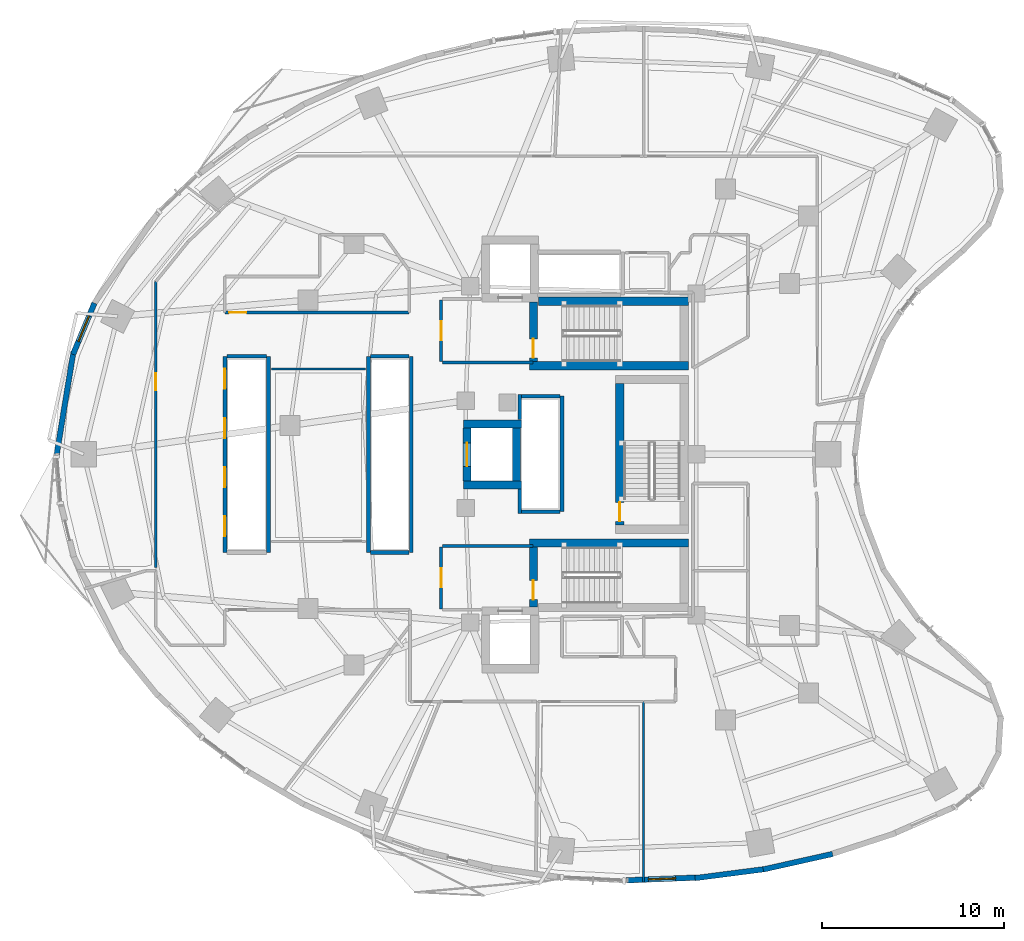
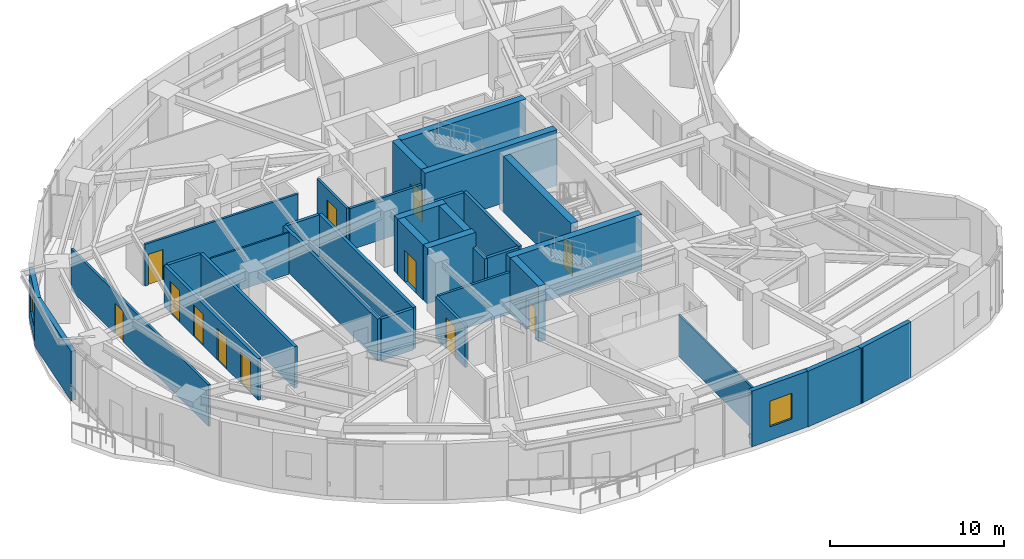
# One storey, part 9 of 15: 35 walls, 12 doors, 2 windows, 14 openings.
"""IFC4 building model written with IfcOpenShell, lengths in metres."""

from ifc_helpers import new_model, si_unit, direction, frame, frame_2d, origin, place, context, subcontext, project, spatial, rectangle, extrude, material, layer, layer_set, type_object, element, fill, save


model = new_model("IFC4")

# Units and contexts
model_context = context("Model", 3, precision=1e-05, world=origin(), true_north=direction((0.0, 1.0)))
body_context = subcontext(model_context, "Body", "Model", "MODEL_VIEW")
ifc_project = project(units=[si_unit("LENGTHUNIT", "METRE"), si_unit("AREAUNIT", "SQUARE_METRE"), si_unit("VOLUMEUNIT", "CUBIC_METRE"), si_unit("PLANEANGLEUNIT", "RADIAN"), si_unit("MASSUNIT", "GRAM", prefix="KILO")], contexts=[model_context])

# Site, building, storey
site_placement = place(None, origin())
site = spatial("IfcSite", under=ifc_project, at=site_placement, CompositionType="ELEMENT")
building_placement = place(site_placement, origin())
building = spatial("IfcBuilding", under=site, at=building_placement, Name="Korentha Bioscience Tower", CompositionType="ELEMENT")
storey_placement = place(building_placement, frame((0.0, 0.0, 38.39990234375)))
storey = spatial("IfcBuildingStorey", under=building, at=storey_placement, Name="L08", CompositionType="ELEMENT", Elevation=38.39990234375)

# Wall, opening, door
ifc_material_1 = material(Name="Double-Stud Acoustic Gypsum", Category="gypsum")
ifc_layer_1 = layer(ifc_material_1, 0.14990234375, Name="Double-Stud Acoustic Gypsum")
ifc_layer_set_1 = layer_set([ifc_layer_1], Name="Double-Stud Acoustic Gypsum (IW-L150)")
wall_type_1 = type_object("IfcWallType", Name="Acoustic Laboratory Partition Wall 150", PredefinedType="PARTITIONING", material=ifc_layer_set_1)
wall_1_placement = place(storey_placement, frame((21.739990234375, 34.81005859375, 0.0), z_axis=(0.0, 0.0, 1.0), x_axis=(-1.0, 0.0, 0.0)))
wall_1 = element("IfcWall", 1, at=wall_1_placement, inside=storey, type_object=wall_type_1, Name="L08 Clinical Advisory Boardroom 14 Entrance Wall", PredefinedType="PARTITIONING", context=body_context, shape_type="SweptSolid", body=[
    extrude(rectangle(XDim=10.14990234375, YDim=0.14990234375, at=frame_2d((5.074951171875, 0.0))), origin(), (0.0, 0.0, 1.0), 2.91015625),
])
opening_1_placement = place(wall_1_placement, frame((8.9599609375, 0.0, 0.0)))
opening_1 = element("IfcOpeningElement", 2, at=opening_1_placement, cuts=wall_1, Name="Opening ID-10R", PredefinedType="OPENING", context=body_context, shape_type="SweptSolid", body=[
    extrude(rectangle(XDim=0.949951171875, YDim=2.14990234375, at=frame_2d((0.47509765625, 1.074951171875))), frame((0.0, 0.08984375, 0.0), z_axis=(0.0, -1.0, 0.0), x_axis=(1.0, 0.0, 0.0)), (0.0, 0.0, 1.0), 0.1796875),
])
ifc_material_2 = material(Name="Phenolic Laminate Timber Core", Category="wood")
door_type_1 = type_object("IfcDoorType", Name="Laboratory Single Leaf Door 950x2150 Right", OperationType="SINGLE_SWING_RIGHT", PredefinedType="DOOR", material=ifc_material_2)
door_1_placement = place(opening_1_placement, origin())
door_1 = element("IfcDoor", 3, at=door_1_placement, inside=storey, type_object=door_type_1, Name="L08 Clinical Advisory Boardroom 14 Door", OperationType="SINGLE_SWING_RIGHT", OverallHeight=2.14990234375, OverallWidth=0.949951171875, PredefinedType="DOOR", context=body_context, shape_type="SweptSolid", body=[
    extrude(rectangle(XDim=0.949951171875, YDim=2.14990234375, at=frame_2d((0.47509765625, 1.074951171875))), frame((0.0, 0.02490234375, 0.0), z_axis=(0.0, -1.0, 0.0), x_axis=(1.0, 0.0, 0.0)), (0.0, 0.0, 1.0), 0.050048828125),
])
fill(opening_1, door_1)

wall_2_placement = place(storey_placement, frame((7.7900390625, 36.501220703125, 0.0), z_axis=(0.0, 0.0, 1.0), x_axis=(0.0, -1.0, 0.0)))
wall_2 = element("IfcWall", 4, at=wall_2_placement, inside=storey, type_object=wall_type_1, Name="L08 Researchers' Wellness Quiet Room 15 Entrance Wall", PredefinedType="PARTITIONING", context=body_context, shape_type="SweptSolid", body=[
    extrude(rectangle(XDim=15.739501953125, YDim=0.14990234375, at=frame_2d((7.86962890625, 0.0))), origin(), (0.0, 0.0, 1.0), 2.91015625),
])
opening_2_placement = place(wall_2_placement, frame((5.023193359375, 0.0, 0.0)))
opening_2 = element("IfcOpeningElement", 5, at=opening_2_placement, cuts=wall_2, Name="Opening ID-10L", PredefinedType="OPENING", context=body_context, shape_type="SweptSolid", body=[
    extrude(rectangle(XDim=0.949951171875, YDim=2.14990234375, at=frame_2d((0.47509765625, 1.074951171875))), frame((0.0, 0.08984375, 0.0), z_axis=(0.0, -1.0, 0.0), x_axis=(1.0, 0.0, 0.0)), (0.0, 0.0, 1.0), 0.1796875),
])
door_type_2 = type_object("IfcDoorType", Name="Laboratory Single Leaf Door 950x2150 Left", OperationType="SINGLE_SWING_LEFT", PredefinedType="DOOR", material=ifc_material_2)
door_2_placement = place(opening_2_placement, origin())
door_2 = element("IfcDoor", 6, at=door_2_placement, inside=storey, type_object=door_type_2, Name="L08 Researchers' Wellness Quiet Room 15 Door", OperationType="SINGLE_SWING_LEFT", OverallHeight=2.14990234375, OverallWidth=0.949951171875, PredefinedType="DOOR", context=body_context, shape_type="SweptSolid", body=[
    extrude(rectangle(XDim=0.949951171875, YDim=2.14990234375, at=frame_2d((0.47509765625, 1.074951171875))), frame((0.0, 0.02490234375, 0.0), z_axis=(0.0, -1.0, 0.0), x_axis=(1.0, 0.0, 0.0)), (0.0, 0.0, 1.0), 0.050048828125),
])
fill(opening_2, door_2)

# Walls
ifc_material_3 = material(Name="Fire-Rated Framed Glass", Category="glass")
ifc_layer_2 = layer(ifc_material_3, 0.110107421875, Name="Fire-Rated Framed Glass")
ifc_layer_set_2 = layer_set([ifc_layer_2], Name="Fire-Rated Framed Glass (IW-G110)")
wall_type_2 = type_object("IfcWallType", Name="Demountable Glazed Office Partition 110", PredefinedType="MOVABLE", material=ifc_layer_set_2)
wall_3_placement = place(storey_placement, frame((14.16015625, 31.697998046875, 0.0), z_axis=(0.0, 0.0, 1.0), x_axis=(1.0, 0.0, 0.0)))
element("IfcWall", 7, at=wall_3_placement, inside=storey, type_object=wall_type_2, Name="L08 Interior Partition 023", PredefinedType="MOVABLE", context=body_context, shape_type="SweptSolid", body=[
    extrude(rectangle(XDim=5.1796875, YDim=0.110107421875, at=frame_2d((2.58984375, 0.0))), origin(), (0.0, 0.0, 1.0), 2.91015625),
])
wall_4_placement = place(storey_placement, frame((34.64794921875, 13.389892578125, 0.0), z_axis=(0.0, 0.0, 1.0), x_axis=(0.0, -1.0, 0.0)))
element("IfcWall", 8, at=wall_4_placement, inside=storey, type_object=wall_type_2, Name="L08 Interior Partition 036", PredefinedType="MOVABLE", context=body_context, shape_type="SweptSolid", body=[
    extrude(rectangle(XDim=9.93408203125, YDim=0.110107421875, at=frame_2d((4.967041015625, 0.0))), origin(), (0.0, 0.0, 1.0), 2.91015625),
])

# Wall, opening, door
ifc_material_4 = material(Name="Gypsum-Clad Steel Stud", Category="steel")
ifc_layer_3 = layer(ifc_material_4, 0.159912109375, Name="Gypsum-Clad Steel Stud")
ifc_layer_set_3 = layer_set([ifc_layer_3], Name="Gypsum-Clad Steel Stud (IW-C160)")
wall_type_3 = type_object("IfcWallType", Name="Fire-Rated Corridor Partition Wall 160", PredefinedType="PARTITIONING", material=ifc_layer_set_3)
wall_5_placement = place(storey_placement, frame((23.5, 32.10009765625, 0.0), z_axis=(0.0, 0.0, 1.0), x_axis=(0.0, 1.0, 0.0)))
wall_5 = element("IfcWall", 9, at=wall_5_placement, inside=storey, type_object=wall_type_3, Name="L08 FFLN-CW Rated Enclosure Wall", PredefinedType="PARTITIONING", context=body_context, shape_type="SweptSolid", body=[
    extrude(rectangle(XDim=3.39990234375, YDim=0.159912109375, at=frame_2d((1.699951171875, 0.0))), origin(), (0.0, 0.0, 1.0), 2.91015625),
])
opening_3_placement = place(wall_5_placement, frame((1.175048828125, 0.0, 0.0)))
opening_3 = element("IfcOpeningElement", 10, at=opening_3_placement, cuts=wall_5, Name="Opening FD-90L", PredefinedType="OPENING", context=body_context, shape_type="SweptSolid", body=[
    extrude(rectangle(XDim=1.050048828125, YDim=2.14990234375, at=frame_2d((0.52490234375, 1.074951171875))), frame((0.0, 0.0947265625, 0.0), z_axis=(0.0, -1.0, 0.0), x_axis=(1.0, 0.0, 0.0)), (0.0, 0.0, 1.0), 0.189697265625),
])
ifc_material_5 = material(Name="Powder-Coated Fire-Rated Steel", Category="steel")
door_type_3 = type_object("IfcDoorType", Name="Stairwell Fire Exit Door 1050x2150 Left", OperationType="SINGLE_SWING_LEFT", PredefinedType="DOOR", material=ifc_material_5)
door_3_placement = place(opening_3_placement, origin())
door_3 = element("IfcDoor", 11, at=door_3_placement, inside=storey, type_object=door_type_3, Name="L08 North Firefighting Lobby Door", OperationType="SINGLE_SWING_LEFT", OverallHeight=2.14990234375, OverallWidth=1.050048828125, PredefinedType="DOOR", context=body_context, shape_type="SweptSolid", body=[
    extrude(rectangle(XDim=1.050048828125, YDim=2.14990234375, at=frame_2d((0.52490234375, 1.074951171875))), frame((0.0, 0.02490234375, 0.0), z_axis=(0.0, -1.0, 0.0), x_axis=(1.0, 0.0, 0.0)), (0.0, 0.0, 1.0), 0.050048828125),
])
fill(opening_3, door_3)

wall_6_placement = place(storey_placement, frame((23.5, 18.5, 0.0), z_axis=(0.0, 0.0, 1.0), x_axis=(0.0, 1.0, 0.0)))
wall_6 = element("IfcWall", 12, at=wall_6_placement, inside=storey, type_object=wall_type_3, Name="L08 FFLS-CW Rated Enclosure Wall", PredefinedType="PARTITIONING", context=body_context, shape_type="SweptSolid", body=[
    extrude(rectangle(XDim=3.39990234375, YDim=0.159912109375, at=frame_2d((1.699951171875, 0.0))), origin(), (0.0, 0.0, 1.0), 2.91015625),
])
opening_4_placement = place(wall_6_placement, frame((1.175048828125, 0.0, 0.0)))
opening_4 = element("IfcOpeningElement", 13, at=opening_4_placement, cuts=wall_6, Name="Opening FD-90L", PredefinedType="OPENING", context=body_context, shape_type="SweptSolid", body=[
    extrude(rectangle(XDim=1.050048828125, YDim=2.14990234375, at=frame_2d((0.52490234375, 1.074951171875))), frame((0.0, 0.0947265625, 0.0), z_axis=(0.0, -1.0, 0.0), x_axis=(1.0, 0.0, 0.0)), (0.0, 0.0, 1.0), 0.189697265625),
])
door_4_placement = place(opening_4_placement, origin())
door_4 = element("IfcDoor", 14, at=door_4_placement, inside=storey, type_object=door_type_3, Name="L08 South Firefighting Lobby Door", OperationType="SINGLE_SWING_LEFT", OverallHeight=2.14990234375, OverallWidth=1.050048828125, PredefinedType="DOOR", context=body_context, shape_type="SweptSolid", body=[
    extrude(rectangle(XDim=1.050048828125, YDim=2.14990234375, at=frame_2d((0.52490234375, 1.074951171875))), frame((0.0, 0.02490234375, 0.0), z_axis=(0.0, -1.0, 0.0), x_axis=(1.0, 0.0, 0.0)), (0.0, 0.0, 1.0), 0.050048828125),
])
fill(opening_4, door_4)

# Walls
for number, where, z_axis, x_axis, name in (
    (15, (23.580078125, 32.050048828125, 0.0), (0.0, 0.0, 1.0), (1.0, 0.0, 0.0), "L08 Firefighting Lobby Return Wall FFLN-S"),
    (16, (23.580078125, 21.949951171875, 0.0), (0.0, 0.0, 1.0), (1.0, 0.0, 0.0), "L08 Firefighting Lobby Return Wall FFLS-N"),
):
    element("IfcWall", number, at=place(storey_placement, frame(where, z_axis=z_axis, x_axis=x_axis)), inside=storey, type_object=wall_type_3, Name=name, PredefinedType="PARTITIONING", context=body_context, shape_type="SweptSolid", body=[
        extrude(rectangle(XDim=4.969970703125, YDim=0.159912109375, at=frame_2d((2.48486328125, 0.0))), origin(), (0.0, 0.0, 1.0), 2.91015625),
    ])

# Wall, opening, window
ifc_material_6 = material(Name="Honed Limestone Precast Concrete C40", Category="masonry")
ifc_layer_4 = layer(ifc_material_6, 0.300048828125, Name="Honed Limestone Precast Concrete C40")
ifc_layer_set_4 = layer_set([ifc_layer_4], Name="Honed Limestone Precast Concrete C40 (EW-ST300)")
wall_type_4 = type_object("IfcWallType", Name="Honed Limestone Cavity Spandrel Wall 300", PredefinedType="STANDARD", material=ifc_layer_set_4)
wall_7_placement = place(storey_placement, frame((4.4169921875, 35.322998046875, 0.0), z_axis=(0.0, 0.0, 1.0), x_axis=(-0.385358473275, -0.92276695166, 0.0)))
wall_7 = element("IfcWall", 17, at=wall_7_placement, inside=storey, type_object=wall_type_4, Name="L08 Honed Limestone Spandrel Wall 16", PredefinedType="STANDARD", context=body_context, shape_type="SweptSolid", body=[
    extrude(rectangle(XDim=3.0556640625, YDim=0.300048828125, at=frame_2d((1.52783203125, 0.0))), origin(), (0.0, 0.0, 1.0), 3.47021484375),
])
opening_5_placement = place(wall_7_placement, frame((0.777587890625, 0.0, 0.949951171875)))
opening_5 = element("IfcOpeningElement", 18, at=opening_5_placement, cuts=wall_7, Name="Opening WN-02", PredefinedType="OPENING", context=body_context, shape_type="SweptSolid", body=[
    extrude(rectangle(XDim=1.5, YDim=1.800048828125, at=frame_2d((0.75, 0.89990234375))), frame((0.0, 0.1650390625, 0.0), z_axis=(0.0, -1.0, 0.0), x_axis=(1.0, 0.0, 0.0)), (0.0, 0.0, 1.0), 0.329833984375),
])
ifc_material_7 = material(Name="Thermally Broken Aluminium Triple Glazing", Category="aluminium")
window_type = type_object("IfcWindowType", Name="Acoustic Operable Office Window 1500x1800", PartitioningType="DOUBLE_PANEL_VERTICAL", PredefinedType="WINDOW", material=ifc_material_7)
window_1_placement = place(opening_5_placement, origin())
window_1 = element("IfcWindow", 19, at=window_1_placement, inside=storey, type_object=window_type, Name="L08 Facade Window 16", OverallHeight=1.800048828125, OverallWidth=1.5, PartitioningType="DOUBLE_PANEL_VERTICAL", PredefinedType="WINDOW", context=body_context, shape_type="SweptSolid", body=[
    extrude(rectangle(XDim=1.5, YDim=1.800048828125, at=frame_2d((0.75, 0.89990234375))), frame((0.0, 0.030029296875, 0.0), z_axis=(0.0, -1.0, 0.0), x_axis=(1.0, 0.0, 0.0)), (0.0, 0.0, 1.0), 0.06005859375),
])
fill(opening_5, window_1)

wall_8_placement = place(storey_placement, frame((33.68701171875, 3.558349609375, 0.0), z_axis=(0.0, 0.0, 1.0), x_axis=(0.999247008469, 0.038799691558, 0.0)))
wall_8 = element("IfcWall", 20, at=wall_8_placement, inside=storey, type_object=wall_type_4, Name="L08 Honed Limestone Spandrel Wall 32", PredefinedType="STANDARD", context=body_context, shape_type="SweptSolid", body=[
    extrude(rectangle(XDim=3.93896484375, YDim=0.300048828125, at=frame_2d((1.969482421875, 0.0))), origin(), (0.0, 0.0, 1.0), 3.900146484375),
])
opening_6_placement = place(wall_8_placement, frame((1.219482421875, 0.0, 0.949951171875)))
opening_6 = element("IfcOpeningElement", 21, at=opening_6_placement, cuts=wall_8, Name="Opening WN-02", PredefinedType="OPENING", context=body_context, shape_type="SweptSolid", body=[
    extrude(rectangle(XDim=1.5, YDim=1.800048828125, at=frame_2d((0.75, 0.89990234375))), frame((0.0, 0.1650390625, 0.0), z_axis=(0.0, -1.0, 0.0), x_axis=(1.0, 0.0, 0.0)), (0.0, 0.0, 1.0), 0.329833984375),
])
window_2_placement = place(opening_6_placement, origin())
window_2 = element("IfcWindow", 22, at=window_2_placement, inside=storey, type_object=window_type, Name="L08 Facade Window 32", OverallHeight=1.800048828125, OverallWidth=1.5, PartitioningType="DOUBLE_PANEL_VERTICAL", PredefinedType="WINDOW", context=body_context, shape_type="SweptSolid", body=[
    extrude(rectangle(XDim=1.5, YDim=1.800048828125, at=frame_2d((0.75, 0.89990234375))), frame((0.0, 0.030029296875, 0.0), z_axis=(0.0, -1.0, 0.0), x_axis=(1.0, 0.0, 0.0)), (0.0, 0.0, 1.0), 0.06005859375),
])
fill(opening_6, window_2)

# Walls
wall_9_placement = place(storey_placement, frame((3.26611328125, 32.677001953125, 0.0), z_axis=(0.0, 0.0, 1.0), x_axis=(-0.160712446639, -0.987001271273, 0.0)))
element("IfcWall", 23, at=wall_9_placement, inside=storey, type_object=wall_type_4, Name="L08 Limestone Perimeter Closure Wall 17", PredefinedType="STANDARD", context=body_context, shape_type="SweptSolid", body=[
    extrude(rectangle(XDim=5.854736328125, YDim=0.300048828125, at=frame_2d((2.92724609375, 0.0))), origin(), (0.0, 0.0, 1.0), 3.47021484375),
])
wall_10_placement = place(storey_placement, frame((37.471923828125, 3.677734375, 0.0), z_axis=(0.0, 0.0, 1.0), x_axis=(0.991734095036, 0.128310111617, 0.0)))
element("IfcWall", 24, at=wall_10_placement, inside=storey, type_object=wall_type_4, Name="L08 Limestone Perimeter Closure Wall 33", PredefinedType="STANDARD", context=body_context, shape_type="SweptSolid", body=[
    extrude(rectangle(XDim=3.955810546875, YDim=0.300048828125, at=frame_2d((1.97802734375, 0.0))), origin(), (0.0, 0.0, 1.0), 3.900146484375),
])
wall_11_placement = place(storey_placement, frame((41.22509765625, 4.1552734375, 0.0), z_axis=(0.0, 0.0, 1.0), x_axis=(0.975868573345, 0.218358713032, 0.0)))
element("IfcWall", 25, at=wall_11_placement, inside=storey, type_object=wall_type_4, Name="L08 Limestone Perimeter Closure Wall 34", PredefinedType="STANDARD", context=body_context, shape_type="SweptSolid", body=[
    extrude(rectangle(XDim=3.90869140625, YDim=0.300048828125, at=frame_2d((1.954345703125, 0.0))), origin(), (0.0, 0.0, 1.0), 3.900146484375),
])

# Wall, openings, doors
ifc_material_8 = material(Name="Autoclaved Aerated Concrete Block C25", Category="concrete")
ifc_layer_5 = layer(ifc_material_8, 0.199951171875, Name="Autoclaved Aerated Concrete Block C25")
ifc_layer_set_5 = layer_set([ifc_layer_5], Name="Autoclaved Aerated Concrete Block C25 (IW-S200)")
wall_type_5 = type_object("IfcWallType", Name="Lift and Riser Shaft Enclosure Wall 200", PredefinedType="PARTITIONING", material=ifc_layer_set_5)
wall_12_placement = place(storey_placement, frame((11.60009765625, 21.60009765625, 0.0), z_axis=(0.0, 0.0, 1.0), x_axis=(0.0, 1.0, 0.0)))
wall_12 = element("IfcWall", 26, at=wall_12_placement, inside=storey, type_object=wall_type_5, Name="L08 Lift Bank LOW Shaft Wall -X", PredefinedType="PARTITIONING", context=body_context, shape_type="SweptSolid", body=[
    extrude(rectangle(XDim=10.7998046875, YDim=0.199951171875, at=frame_2d((5.39990234375, 0.0))), origin(), (0.0, 0.0, 1.0), 2.91015625),
])
opening_7_placement = place(wall_12_placement, frame((0.89990234375, 0.0, 0.0)))
opening_7 = element("IfcOpeningElement", 27, at=opening_7_placement, cuts=wall_12, Name="Opening LD-11", PredefinedType="OPENING", context=body_context, shape_type="SweptSolid", body=[
    extrude(rectangle(XDim=1.10009765625, YDim=2.199951171875, at=frame_2d((0.550048828125, 1.10009765625))), frame((0.0, 0.11474609375, 0.0), z_axis=(0.0, -1.0, 0.0), x_axis=(1.0, 0.0, 0.0)), (0.0, 0.0, 1.0), 0.229736328125),
])
opening_8_placement = place(wall_12_placement, frame((3.60009765625, 0.0, 0.0)))
opening_8 = element("IfcOpeningElement", 28, at=opening_8_placement, cuts=wall_12, Name="Opening LD-11", PredefinedType="OPENING", context=body_context, shape_type="SweptSolid", body=[
    extrude(rectangle(XDim=1.10009765625, YDim=2.199951171875, at=frame_2d((0.550048828125, 1.10009765625))), frame((0.0, 0.11474609375, 0.0), z_axis=(0.0, -1.0, 0.0), x_axis=(1.0, 0.0, 0.0)), (0.0, 0.0, 1.0), 0.229736328125),
])
opening_9_placement = place(wall_12_placement, frame((6.300048828125, 0.0, 0.0)))
opening_9 = element("IfcOpeningElement", 29, at=opening_9_placement, cuts=wall_12, Name="Opening LD-11", PredefinedType="OPENING", context=body_context, shape_type="SweptSolid", body=[
    extrude(rectangle(XDim=1.10009765625, YDim=2.199951171875, at=frame_2d((0.550048828125, 1.10009765625))), frame((0.0, 0.11474609375, 0.0), z_axis=(0.0, -1.0, 0.0), x_axis=(1.0, 0.0, 0.0)), (0.0, 0.0, 1.0), 0.229736328125),
])
opening_10_placement = place(wall_12_placement, frame((9.0, 0.0, 0.0)))
opening_10 = element("IfcOpeningElement", 30, at=opening_10_placement, cuts=wall_12, Name="Opening LD-11", PredefinedType="OPENING", context=body_context, shape_type="SweptSolid", body=[
    extrude(rectangle(XDim=1.10009765625, YDim=2.199951171875, at=frame_2d((0.550048828125, 1.10009765625))), frame((0.0, 0.11474609375, 0.0), z_axis=(0.0, -1.0, 0.0), x_axis=(1.0, 0.0, 0.0)), (0.0, 0.0, 1.0), 0.229736328125),
])
ifc_material_9 = material(Name="Brushed Stainless Steel 304", Category="steel")
door_type_4 = type_object("IfcDoorType", Name="Passenger Lift Sliding Landing Door 1100x2200", OperationType="DOUBLE_DOOR_SLIDING", PredefinedType="DOOR", material=ifc_material_9)
door_5_placement = place(opening_7_placement, origin())
door_5 = element("IfcDoor", 31, at=door_5_placement, inside=storey, type_object=door_type_4, Name="L08 PL-L1 Sliding Lift Landing Door", OperationType="DOUBLE_DOOR_SLIDING", OverallHeight=2.199951171875, OverallWidth=1.10009765625, PredefinedType="DOOR", context=body_context, shape_type="SweptSolid", body=[
    extrude(rectangle(XDim=1.10009765625, YDim=2.199951171875, at=frame_2d((0.550048828125, 1.10009765625))), frame((0.0, 0.02490234375, 0.0), z_axis=(0.0, -1.0, 0.0), x_axis=(1.0, 0.0, 0.0)), (0.0, 0.0, 1.0), 0.050048828125),
])
fill(opening_7, door_5)
door_6_placement = place(opening_8_placement, origin())
door_6 = element("IfcDoor", 32, at=door_6_placement, inside=storey, type_object=door_type_4, Name="L08 PL-L2 Sliding Lift Landing Door", OperationType="DOUBLE_DOOR_SLIDING", OverallHeight=2.199951171875, OverallWidth=1.10009765625, PredefinedType="DOOR", context=body_context, shape_type="SweptSolid", body=[
    extrude(rectangle(XDim=1.10009765625, YDim=2.199951171875, at=frame_2d((0.550048828125, 1.10009765625))), frame((0.0, 0.02490234375, 0.0), z_axis=(0.0, -1.0, 0.0), x_axis=(1.0, 0.0, 0.0)), (0.0, 0.0, 1.0), 0.050048828125),
])
fill(opening_8, door_6)
door_7_placement = place(opening_9_placement, origin())
door_7 = element("IfcDoor", 33, at=door_7_placement, inside=storey, type_object=door_type_4, Name="L08 PL-L3 Sliding Lift Landing Door", OperationType="DOUBLE_DOOR_SLIDING", OverallHeight=2.199951171875, OverallWidth=1.10009765625, PredefinedType="DOOR", context=body_context, shape_type="SweptSolid", body=[
    extrude(rectangle(XDim=1.10009765625, YDim=2.199951171875, at=frame_2d((0.550048828125, 1.10009765625))), frame((0.0, 0.02490234375, 0.0), z_axis=(0.0, -1.0, 0.0), x_axis=(1.0, 0.0, 0.0)), (0.0, 0.0, 1.0), 0.050048828125),
])
fill(opening_9, door_7)
door_8_placement = place(opening_10_placement, origin())
door_8 = element("IfcDoor", 34, at=door_8_placement, inside=storey, type_object=door_type_4, Name="L08 PL-L4 Sliding Lift Landing Door", OperationType="DOUBLE_DOOR_SLIDING", OverallHeight=2.199951171875, OverallWidth=1.10009765625, PredefinedType="DOOR", context=body_context, shape_type="SweptSolid", body=[
    extrude(rectangle(XDim=1.10009765625, YDim=2.199951171875, at=frame_2d((0.550048828125, 1.10009765625))), frame((0.0, 0.02490234375, 0.0), z_axis=(0.0, -1.0, 0.0), x_axis=(1.0, 0.0, 0.0)), (0.0, 0.0, 1.0), 0.050048828125),
])
fill(opening_10, door_8)

# Walls
wall_13_placement = place(storey_placement, frame((14.0, 21.60009765625, 0.0), z_axis=(0.0, 0.0, 1.0), x_axis=(0.0, 1.0, 0.0)))
element("IfcWall", 35, at=wall_13_placement, inside=storey, type_object=wall_type_5, Name="L08 Lift Bank LOW Shaft Wall +X", PredefinedType="PARTITIONING", context=body_context, shape_type="SweptSolid", body=[
    extrude(rectangle(XDim=10.7998046875, YDim=0.199951171875, at=frame_2d((5.39990234375, 0.0))), origin(), (0.0, 0.0, 1.0), 2.91015625),
])
wall_14_placement = place(storey_placement, frame((11.719970703125, 32.39990234375, 0.0), z_axis=(0.0, 0.0, 1.0), x_axis=(1.0, 0.0, 0.0)))
element("IfcWall", 36, at=wall_14_placement, inside=storey, type_object=wall_type_5, Name="L08 Lift Bank LOW Shaft Wall +Y", PredefinedType="PARTITIONING", context=body_context, shape_type="SweptSolid", body=[
    extrude(rectangle(XDim=2.159912109375, YDim=0.199951171875, at=frame_2d((1.080078125, 0.0))), origin(), (0.0, 0.0, 1.0), 2.91015625),
])
for number, where, z_axis, x_axis, name in (
    (37, (19.5, 21.60009765625, 0.0), (0.0, 0.0, 1.0), (0.0, 1.0, 0.0), "L08 Lift Bank MID Shaft Wall -X"),
    (38, (21.85009765625, 21.60009765625, 0.0), (0.0, 0.0, 1.0), (0.0, 1.0, 0.0), "L08 Lift Bank MID Shaft Wall +X"),
):
    element("IfcWall", number, at=place(storey_placement, frame(where, z_axis=z_axis, x_axis=x_axis)), inside=storey, type_object=wall_type_5, Name=name, PredefinedType="PARTITIONING", context=body_context, shape_type="SweptSolid", body=[
        extrude(rectangle(XDim=10.7998046875, YDim=0.199951171875, at=frame_2d((5.39990234375, 0.0))), origin(), (0.0, 0.0, 1.0), 2.91015625),
    ])
for number, where, z_axis, x_axis, name in (
    (39, (19.6201171875, 21.60009765625, 0.0), (0.0, 0.0, 1.0), (1.0, 0.0, 0.0), "L08 Lift Bank MID Shaft Wall -Y"),
    (40, (19.6201171875, 32.39990234375, 0.0), (0.0, 0.0, 1.0), (1.0, 0.0, 0.0), "L08 Lift Bank MID Shaft Wall +Y"),
):
    element("IfcWall", number, at=place(storey_placement, frame(where, z_axis=z_axis, x_axis=x_axis)), inside=storey, type_object=wall_type_5, Name=name, PredefinedType="PARTITIONING", context=body_context, shape_type="SweptSolid", body=[
        extrude(rectangle(XDim=2.10986328125, YDim=0.199951171875, at=frame_2d((1.054931640625, 0.0))), origin(), (0.0, 0.0, 1.0), 2.91015625),
    ])
wall_15_placement = place(storey_placement, frame((27.830078125, 23.75, 0.0), z_axis=(0.0, 0.0, 1.0), x_axis=(0.0, 1.0, 0.0)))
element("IfcWall", 41, at=wall_15_placement, inside=storey, type_object=wall_type_5, Name="L08 Lift Bank HIGH Shaft Wall -XS", PredefinedType="PARTITIONING", context=body_context, shape_type="SweptSolid", body=[
    extrude(rectangle(XDim=1.341064453125, YDim=0.199951171875, at=frame_2d((0.67041015625, 0.0))), origin(), (0.0, 0.0, 1.0), 2.91015625),
])
wall_16_placement = place(storey_placement, frame((27.830078125, 28.908935546875, 0.0), z_axis=(0.0, 0.0, 1.0), x_axis=(0.0, 1.0, 0.0)))
element("IfcWall", 42, at=wall_16_placement, inside=storey, type_object=wall_type_5, Name="L08 Lift Bank HIGH Shaft Wall -XN", PredefinedType="PARTITIONING", context=body_context, shape_type="SweptSolid", body=[
    extrude(rectangle(XDim=1.39111328125, YDim=0.199951171875, at=frame_2d((0.695556640625, 0.0))), origin(), (0.0, 0.0, 1.0), 2.91015625),
])
wall_17_placement = place(storey_placement, frame((30.14990234375, 23.85009765625, 0.0), z_axis=(0.0, 0.0, 1.0), x_axis=(0.0, 1.0, 0.0)))
element("IfcWall", 43, at=wall_17_placement, inside=storey, type_object=wall_type_5, Name="L08 Lift Bank HIGH Shaft Wall +X", PredefinedType="PARTITIONING", context=body_context, shape_type="SweptSolid", body=[
    extrude(rectangle(XDim=6.349853515625, YDim=0.199951171875, at=frame_2d((3.1748046875, 0.0))), origin(), (0.0, 0.0, 1.0), 2.91015625),
])
for number, where, z_axis, x_axis, name in (
    (44, (27.93408203125, 23.85009765625, 0.0), (0.0, 0.0, 1.0), (1.0, 0.0, 0.0), "L08 Lift Bank HIGH Shaft Wall -Y"),
    (45, (27.93408203125, 30.199951171875, 0.0), (0.0, 0.0, 1.0), (1.0, 0.0, 0.0), "L08 Lift Bank HIGH Shaft Wall +Y"),
):
    element("IfcWall", number, at=place(storey_placement, frame(where, z_axis=z_axis, x_axis=x_axis)), inside=storey, type_object=wall_type_5, Name=name, PredefinedType="PARTITIONING", context=body_context, shape_type="SweptSolid", body=[
        extrude(rectangle(XDim=2.095947265625, YDim=0.199951171875, at=frame_2d((1.0478515625, 0.0))), origin(), (0.0, 0.0, 1.0), 2.91015625),
    ])
ifc_material_10 = material(Name="Concrete C80", Category="concrete")
ifc_layer_6 = layer(ifc_material_10, 0.449951171875, Name="Concrete C80")
ifc_layer_set_6 = layer_set([ifc_layer_6], Name="Concrete C80 (CW-C80)")
wall_type_6 = type_object("IfcWallType", Name="Lower Core Shear Wall 450", PredefinedType="SHEAR", material=ifc_layer_set_6)
wall_18_placement = place(storey_placement, frame((28.85205078125, 35.425048828125, 0.0), z_axis=(0.0, 0.0, 1.0), x_axis=(1.0, 0.0, 0.0)))
element("IfcWall", 46, at=wall_18_placement, inside=storey, type_object=wall_type_6, Name="L08 Core Shear Wall ST1-N", PredefinedType="SHEAR", context=body_context, shape_type="SweptSolid", body=[
    extrude(rectangle(XDim=8.248046875, YDim=0.449951171875, at=frame_2d((4.1240234375, 0.0))), origin(), (0.0, 0.0, 1.0), 3.900146484375),
])
wall_19_placement = place(storey_placement, frame((28.35009765625, 31.875, 0.0), z_axis=(0.0, 0.0, 1.0), x_axis=(1.0, 0.0, 0.0)))
element("IfcWall", 47, at=wall_19_placement, inside=storey, type_object=wall_type_6, Name="L08 Core Shear Wall ST1-S", PredefinedType="SHEAR", context=body_context, shape_type="SweptSolid", body=[
    extrude(rectangle(XDim=8.75, YDim=0.449951171875, at=frame_2d((4.375, 0.0))), origin(), (0.0, 0.0, 1.0), 3.900146484375),
])

# Wall, opening, door
wall_20_placement = place(storey_placement, frame((28.574951171875, 32.110107421875, 0.0), z_axis=(0.0, 0.0, 1.0), x_axis=(0.0, 1.0, 0.0)))
wall_20 = element("IfcWall", 48, at=wall_20_placement, inside=storey, type_object=wall_type_6, Name="L08 Core Shear Wall ST1-W", PredefinedType="SHEAR", context=body_context, shape_type="SweptSolid", body=[
    extrude(rectangle(XDim=3.282958984375, YDim=0.449951171875, at=frame_2d((1.6416015625, 0.0))), origin(), (0.0, 0.0, 1.0), 3.900146484375),
])
opening_11_placement = place(wall_20_placement, frame((0.199951171875, 0.0, 0.0)))
opening_11 = element("IfcOpeningElement", 49, at=opening_11_placement, cuts=wall_20, Name="Opening FD-90L", PredefinedType="OPENING", context=body_context, shape_type="SweptSolid", body=[
    extrude(rectangle(XDim=1.050048828125, YDim=2.14990234375, at=frame_2d((0.52490234375, 1.074951171875))), frame((0.0, 0.23974609375, 0.0), z_axis=(0.0, -1.0, 0.0), x_axis=(1.0, 0.0, 0.0)), (0.0, 0.0, 1.0), 0.479736328125),
])
door_9_placement = place(opening_11_placement, origin())
door_9 = element("IfcDoor", 50, at=door_9_placement, inside=storey, type_object=door_type_3, Name="L08 ST-1 Fire Exit Stair Door", OperationType="SINGLE_SWING_LEFT", OverallHeight=2.14990234375, OverallWidth=1.050048828125, PredefinedType="DOOR", context=body_context, shape_type="SweptSolid", body=[
    extrude(rectangle(XDim=1.050048828125, YDim=2.14990234375, at=frame_2d((0.52490234375, 1.074951171875))), frame((0.0, 0.02490234375, 0.0), z_axis=(0.0, -1.0, 0.0), x_axis=(1.0, 0.0, 0.0)), (0.0, 0.0, 1.0), 0.050048828125),
])
fill(opening_11, door_9)

# Wall
wall_21_placement = place(storey_placement, frame((28.35009765625, 22.125, 0.0), z_axis=(0.0, 0.0, 1.0), x_axis=(1.0, 0.0, 0.0)))
element("IfcWall", 51, at=wall_21_placement, inside=storey, type_object=wall_type_6, Name="L08 Core Shear Wall ST2-N", PredefinedType="SHEAR", context=body_context, shape_type="SweptSolid", body=[
    extrude(rectangle(XDim=8.75, YDim=0.449951171875, at=frame_2d((4.375, 0.0))), origin(), (0.0, 0.0, 1.0), 3.900146484375),
])

# Wall, opening, door
wall_22_placement = place(storey_placement, frame((28.574951171875, 18.60693359375, 0.0), z_axis=(0.0, 0.0, 1.0), x_axis=(0.0, 1.0, 0.0)))
wall_22 = element("IfcWall", 52, at=wall_22_placement, inside=storey, type_object=wall_type_6, Name="L08 Core Shear Wall ST2-W", PredefinedType="SHEAR", context=body_context, shape_type="SweptSolid", body=[
    extrude(rectangle(XDim=3.282958984375, YDim=0.449951171875, at=frame_2d((1.6416015625, 0.0))), origin(), (0.0, 0.0, 1.0), 3.900146484375),
])
opening_12_placement = place(wall_22_placement, frame((0.403076171875, 0.0, 0.0)))
opening_12 = element("IfcOpeningElement", 53, at=opening_12_placement, cuts=wall_22, Name="Opening FD-90L", PredefinedType="OPENING", context=body_context, shape_type="SweptSolid", body=[
    extrude(rectangle(XDim=1.050048828125, YDim=2.14990234375, at=frame_2d((0.52490234375, 1.074951171875))), frame((0.0, 0.23974609375, 0.0), z_axis=(0.0, -1.0, 0.0), x_axis=(1.0, 0.0, 0.0)), (0.0, 0.0, 1.0), 0.479736328125),
])
door_10_placement = place(opening_12_placement, origin())
door_10 = element("IfcDoor", 54, at=door_10_placement, inside=storey, type_object=door_type_3, Name="L08 ST-2 Fire Exit Stair Door", OperationType="SINGLE_SWING_LEFT", OverallHeight=2.14990234375, OverallWidth=1.050048828125, PredefinedType="DOOR", context=body_context, shape_type="SweptSolid", body=[
    extrude(rectangle(XDim=1.050048828125, YDim=2.14990234375, at=frame_2d((0.52490234375, 1.074951171875))), frame((0.0, 0.02490234375, 0.0), z_axis=(0.0, -1.0, 0.0), x_axis=(1.0, 0.0, 0.0)), (0.0, 0.0, 1.0), 0.050048828125),
])
fill(opening_12, door_10)

wall_23_placement = place(storey_placement, frame((33.324951171875, 23.110107421875, 0.0), z_axis=(0.0, 0.0, 1.0), x_axis=(0.0, 1.0, 0.0)))
wall_23 = element("IfcWall", 55, at=wall_23_placement, inside=storey, type_object=wall_type_6, Name="L08 Core Shear Wall ST3-W", PredefinedType="SHEAR", context=body_context, shape_type="SweptSolid", body=[
    extrude(rectangle(XDim=7.77978515625, YDim=0.449951171875, at=frame_2d((3.889892578125, 0.0))), origin(), (0.0, 0.0, 1.0), 3.900146484375),
])
opening_13_placement = place(wall_23_placement, frame((0.199951171875, 0.0, 0.0)))
opening_13 = element("IfcOpeningElement", 56, at=opening_13_placement, cuts=wall_23, Name="Opening FD-90L", PredefinedType="OPENING", context=body_context, shape_type="SweptSolid", body=[
    extrude(rectangle(XDim=1.050048828125, YDim=2.14990234375, at=frame_2d((0.52490234375, 1.074951171875))), frame((0.0, 0.23974609375, 0.0), z_axis=(0.0, -1.0, 0.0), x_axis=(1.0, 0.0, 0.0)), (0.0, 0.0, 1.0), 0.479736328125),
])
door_11_placement = place(opening_13_placement, origin())
door_11 = element("IfcDoor", 57, at=door_11_placement, inside=storey, type_object=door_type_3, Name="L08 ST-3 Fire Exit Stair Door", OperationType="SINGLE_SWING_LEFT", OverallHeight=2.14990234375, OverallWidth=1.050048828125, PredefinedType="DOOR", context=body_context, shape_type="SweptSolid", body=[
    extrude(rectangle(XDim=1.050048828125, YDim=2.14990234375, at=frame_2d((0.52490234375, 1.074951171875))), frame((0.0, 0.02490234375, 0.0), z_axis=(0.0, -1.0, 0.0), x_axis=(1.0, 0.0, 0.0)), (0.0, 0.0, 1.0), 0.050048828125),
])
fill(opening_13, door_11)

# Walls
for number, where, z_axis, x_axis, name in (
    (58, (24.719970703125, 28.679931640625, 0.0), (0.0, 0.0, 1.0), (1.0, 0.0, 0.0), "L08 Core Shear Wall SVL1-N"),
    (59, (24.719970703125, 25.320068359375, 0.0), (0.0, 0.0, 1.0), (1.0, 0.0, 0.0), "L08 Core Shear Wall SVL1-S"),
):
    element("IfcWall", number, at=place(storey_placement, frame(where, z_axis=z_axis, x_axis=x_axis)), inside=storey, type_object=wall_type_6, Name=name, PredefinedType="SHEAR", context=body_context, shape_type="SweptSolid", body=[
        extrude(rectangle(XDim=3.2099609375, YDim=0.449951171875, at=frame_2d((1.60498046875, 0.0))), origin(), (0.0, 0.0, 1.0), 3.900146484375),
    ])

# Wall, opening, door
wall_24_placement = place(storey_placement, frame((24.919921875, 25.547119140625, 0.0), z_axis=(0.0, 0.0, 1.0), x_axis=(0.0, 1.0, 0.0)))
wall_24 = element("IfcWall", 60, at=wall_24_placement, inside=storey, type_object=wall_type_6, Name="L08 Core Shear Wall SVL1-W", PredefinedType="SHEAR", context=body_context, shape_type="SweptSolid", body=[
    extrude(rectangle(XDim=2.90576171875, YDim=0.449951171875, at=frame_2d((1.452880859375, 0.0))), origin(), (0.0, 0.0, 1.0), 3.900146484375),
])
opening_14_placement = place(wall_24_placement, frame((0.7900390625, 0.0, 0.0)))
opening_14 = element("IfcOpeningElement", 61, at=opening_14_placement, cuts=wall_24, Name="Opening LD-13", PredefinedType="OPENING", context=body_context, shape_type="SweptSolid", body=[
    extrude(rectangle(XDim=1.300048828125, YDim=2.199951171875, at=frame_2d((0.64990234375, 1.10009765625))), frame((0.0, 0.23974609375, 0.0), z_axis=(0.0, -1.0, 0.0), x_axis=(1.0, 0.0, 0.0)), (0.0, 0.0, 1.0), 0.479736328125),
])
ifc_material_11 = material(Name="Brushed Stainless Steel 316", Category="steel")
door_type_5 = type_object("IfcDoorType", Name="Service & Firefighting Lift Landing Door 1300x2300", OperationType="DOUBLE_DOOR_SLIDING", PredefinedType="DOOR", material=ifc_material_11)
door_12_placement = place(opening_14_placement, origin())
door_12 = element("IfcDoor", 62, at=door_12_placement, inside=storey, type_object=door_type_5, Name="L08 SVL-1 Sliding Lift Landing Door", OperationType="DOUBLE_DOOR_SLIDING", OverallHeight=2.199951171875, OverallWidth=1.300048828125, PredefinedType="DOOR", context=body_context, shape_type="SweptSolid", body=[
    extrude(rectangle(XDim=1.300048828125, YDim=2.199951171875, at=frame_2d((0.64990234375, 1.10009765625))), frame((0.0, 0.02490234375, 0.0), z_axis=(0.0, -1.0, 0.0), x_axis=(1.0, 0.0, 0.0)), (0.0, 0.0, 1.0), 0.050048828125),
])
fill(opening_14, door_12)

# Wall
wall_25_placement = place(storey_placement, frame((27.64990234375, 25.547119140625, 0.0), z_axis=(0.0, 0.0, 1.0), x_axis=(0.0, 1.0, 0.0)))
element("IfcWall", 63, at=wall_25_placement, inside=storey, type_object=wall_type_6, Name="L08 Core Shear Wall SVL1-E", PredefinedType="SHEAR", context=body_context, shape_type="SweptSolid", body=[
    extrude(rectangle(XDim=2.90576171875, YDim=0.449951171875, at=frame_2d((1.452880859375, 0.0))), origin(), (0.0, 0.0, 1.0), 3.900146484375),
])

save(model, "model.ifc")
